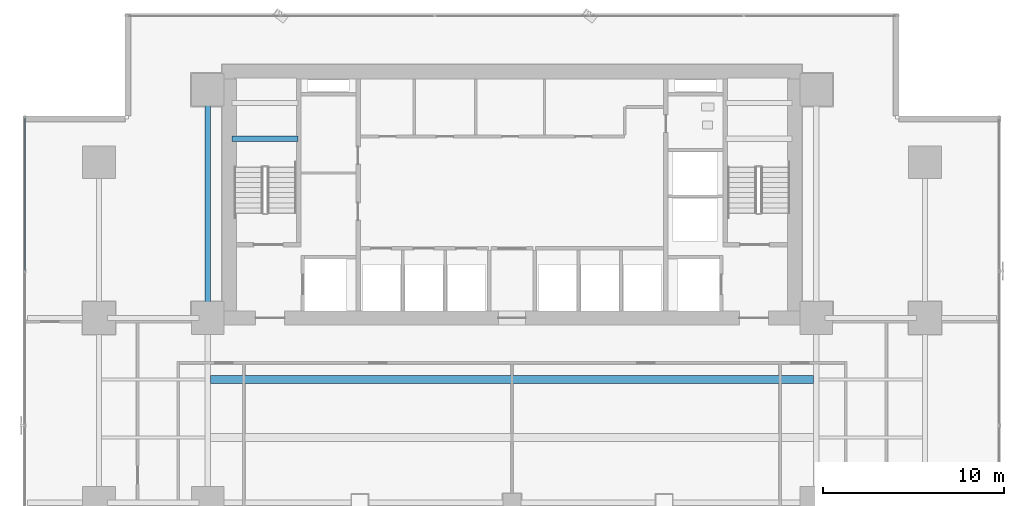
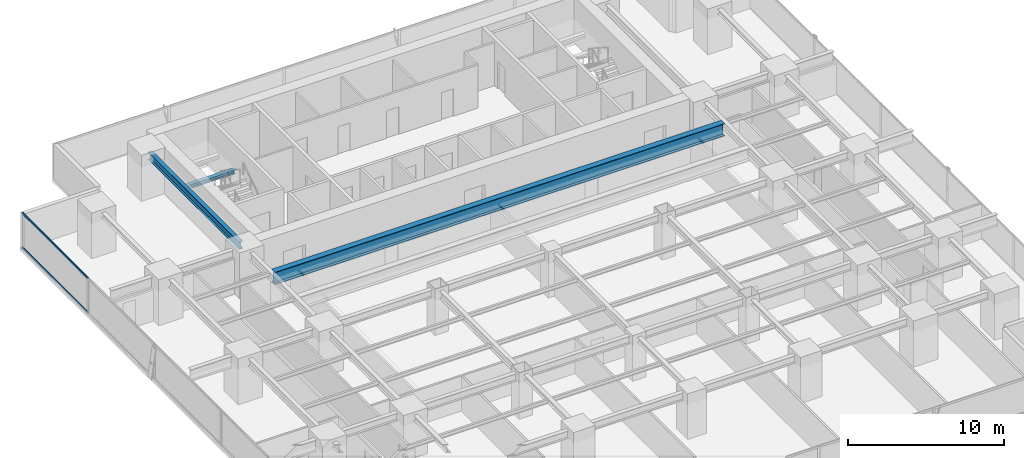
# One storey, part 17 of 34: 3 beams, 2 members, 1 element without a shape of its own.
"""IFC4 building model written with IfcOpenShell, lengths in metres."""

from ifc_helpers import new_model, si_unit, direction, frame, origin, origin_2d, place, context, subcontext, project, spatial, hollow_rectangle, i_section, extrude, source, transform, mapped, material, layer, layer_set, material_profile, profile_set, type_object, element, aggregate, save


model = new_model("IFC4")

# Units and contexts
model_context = context("Model", 3, precision=1e-05, world=origin(), true_north=direction((0.0, 1.0)))
body_context = subcontext(model_context, "Body", "Model", "MODEL_VIEW")
ifc_project = project(units=[si_unit("LENGTHUNIT", "METRE"), si_unit("AREAUNIT", "SQUARE_METRE"), si_unit("VOLUMEUNIT", "CUBIC_METRE"), si_unit("PLANEANGLEUNIT", "RADIAN"), si_unit("MASSUNIT", "GRAM", prefix="KILO")], contexts=[model_context])

# Site, building, storey
site_placement = place(None, origin())
site = spatial("IfcSite", under=ifc_project, at=site_placement, CompositionType="ELEMENT")
building_placement = place(site_placement, origin())
building = spatial("IfcBuilding", under=site, at=building_placement, Name="Sumidabori Civic Tower", CompositionType="ELEMENT")
storey_placement = place(building_placement, frame((0.0, 0.0, 34.39990234375)))
storey = spatial("IfcBuildingStorey", under=building, at=storey_placement, Name="L08", CompositionType="ELEMENT", Elevation=34.39990234375)

# Beams
ifc_material_1 = material(Name="Steel SN490", Category="steel")
ifc_material_profile_1 = material_profile(ifc_material_1, i_section(OverallWidth=0.300048828125, OverallDepth=0.300048828125, WebThickness=0.010986328125, FlangeThickness=0.01904296875, at=origin_2d()), Name="HE 300 B")
ifc_profile_set_1 = profile_set([ifc_material_profile_1], Name="Steel SN490")
beam_type_1 = type_object("IfcBeamType", Name="BM-LDG-300", PredefinedType="BEAM", material=ifc_profile_set_1)
shared_shape_1 = source(origin(), body_context, "Body", "SweptSolid", [
    extrude(i_section(OverallWidth=0.300048828125, OverallDepth=0.300048828125, WebThickness=0.010986328125, FlangeThickness=0.01904296875, at=origin_2d()), origin(), (0.0, 0.0, 1.0), 3.64990234375),
])
beam_1_placement = place(storey_placement, frame((-15.449951171875, 20.09765625, 1.4501953125), z_axis=(1.0, 0.0, 0.0), x_axis=(0.0, 1.0, 0.0)))
element("IfcBeam", 1, at=beam_1_placement, inside=storey, type_object=beam_type_1, Name="Stair ST-1 Landing Support Beam L08-1A", PredefinedType="BEAM", context=body_context, shape_type="MappedRepresentation", body=[
    mapped(shared_shape_1, transform((0.0, 0.0, 0.0), x_axis=(1.0, 0.0, 0.0), y_axis=(0.0, 1.0, 0.0), z_axis=(0.0, 0.0, 1.0), scale=1.0)),
])
ifc_material_profile_2 = material_profile(ifc_material_1, i_section(OverallWidth=0.300048828125, OverallDepth=0.60009765625, WebThickness=0.015380859375, FlangeThickness=0.030029296875, at=origin_2d()), Name="HE 600 B")
ifc_profile_set_2 = profile_set([ifc_material_profile_2], Name="Steel SN490")
beam_type_2 = type_object("IfcBeamType", Name="BM-GIRD-600", PredefinedType="BEAM", material=ifc_profile_set_2)
shared_shape_2 = source(origin(), body_context, "Body", "SweptSolid", [
    extrude(i_section(OverallWidth=0.300048828125, OverallDepth=0.60009765625, WebThickness=0.015380859375, FlangeThickness=0.030029296875, at=origin_2d()), origin(), (0.0, 0.0, 1.0), 11.64013671875),
])
beam_2_placement = place(storey_placement, frame((-16.800048828125, 10.679931640625, 3.06005859375), z_axis=(0.0, 1.0, 0.0), x_axis=(-1.0, 0.0, 0.0)))
element("IfcBeam", 2, at=beam_2_placement, inside=storey, type_object=beam_type_2, Name="Primary Girder L08 GY-28", PredefinedType="BEAM", context=body_context, shape_type="MappedRepresentation", body=[
    mapped(shared_shape_2, transform((0.0, 0.0, 0.0), x_axis=(1.0, 0.0, 0.0), y_axis=(0.0, 1.0, 0.0), z_axis=(0.0, 0.0, 1.0), scale=1.0)),
])
ifc_material_2 = material(Name="Steel SM570", Category="steel")
ifc_material_profile_3 = material_profile(ifc_material_2, i_section(OverallWidth=0.427978515625, OverallDepth=0.97509765625, WebThickness=0.02392578125, FlangeThickness=0.04296875, at=origin_2d()), Name="W36X395")
ifc_profile_set_3 = profile_set([ifc_material_profile_3], Name="Steel SM570")
beam_type_3 = type_object("IfcBeamType", Name="BM-HEAVY-W36B", PredefinedType="BEAM", material=ifc_profile_set_3)
shared_shape_3 = source(origin(), body_context, "Body", "SweptSolid", [
    extrude(i_section(OverallWidth=0.427978515625, OverallDepth=0.97509765625, WebThickness=0.02392578125, FlangeThickness=0.04296875, at=origin_2d()), origin(), (0.0, 0.0, 1.0), 33.2998046875),
])
beam_3_placement = place(storey_placement, frame((-16.64990234375, 6.800048828125, 2.87255859375), z_axis=(1.0, 0.0, 0.0), x_axis=(0.0, 1.0, 0.0)))
element("IfcBeam", 3, at=beam_3_placement, inside=storey, type_object=beam_type_3, Name="North Bay Floor Beam L08 JSTN-60", PredefinedType="BEAM", context=body_context, shape_type="MappedRepresentation", body=[
    mapped(shared_shape_3, transform((0.0, 0.0, 0.0), x_axis=(1.0, 0.0, 0.0), y_axis=(0.0, 1.0, 0.0), z_axis=(0.0, 0.0, 1.0), scale=1.0)),
])

# Curtain wall, members
ifc_material_3 = material(Name="Anodised Bronze Aluminium AW-6063-T6", Category="aluminium")
ifc_layer = layer(ifc_material_3, 0.179931640625, Name="Anodised Bronze Aluminium AW-6063-T6")
ifc_layer_set = layer_set([ifc_layer], Name="Anodised Bronze Aluminium AW-6063-T6")
curtain_wall_type = type_object("IfcCurtainWallType", Name="CW-SYS-2", PredefinedType="NOTDEFINED", material=ifc_layer_set)
curtain_wall_placement = place(storey_placement, origin())
curtain_wall = element("IfcCurtainWall", 4, at=curtain_wall_placement, inside=storey, type_object=curtain_wall_type, Name="Curtain Wall CW:L08:R10", PredefinedType="NOTDEFINED")
ifc_material_profile_4 = material_profile(ifc_material_3, hollow_rectangle(XDim=0.06494140625, YDim=0.14990234375, WallThickness=0.0048828125, at=origin_2d()), Name="ALU TRANSOM 150x65")
ifc_profile_set_4 = profile_set([ifc_material_profile_4], Name="Anodised Bronze Aluminium AW-6063-T6")
member_type = type_object("IfcMemberType", Name="CW-TRN-150", PredefinedType="USERDEFINED", material=ifc_profile_set_4)
shared_shape_4 = source(origin(), body_context, "Body", "SweptSolid", [
    extrude(hollow_rectangle(XDim=0.06494140625, YDim=0.14990234375, WallThickness=0.0048828125, at=origin_2d()), origin(), (0.0, 0.0, 1.0), 8.423095703125),
])
member_1_placement = place(storey_placement, frame((-26.8798828125, 21.25, 0.03271484375), z_axis=(0.0, -1.0, 0.0), x_axis=(1.0, 0.0, 0.0)))
member_1 = element("IfcMember", 5, at=member_1_placement, type_object=member_type, Name="CW-2 transom 1.1", ObjectType="TRANSOM", PredefinedType="USERDEFINED", context=body_context, shape_type="MappedRepresentation", body=[
    mapped(shared_shape_4, transform((0.0, 0.0, 0.0), x_axis=(1.0, 0.0, 0.0), y_axis=(0.0, 1.0, 0.0), z_axis=(0.0, 0.0, 1.0), scale=1.0)),
])
member_2_placement = place(storey_placement, frame((-26.8798828125, 21.25, 2.70751953125), z_axis=(0.0, -1.0, 0.0), x_axis=(1.0, 0.0, 0.0)))
member_2 = element("IfcMember", 6, at=member_2_placement, type_object=member_type, Name="CW-2 transom 1.2", ObjectType="TRANSOM", PredefinedType="USERDEFINED", context=body_context, shape_type="MappedRepresentation", body=[
    mapped(shared_shape_4, transform((0.0, 0.0, 0.0), x_axis=(1.0, 0.0, 0.0), y_axis=(0.0, 1.0, 0.0), z_axis=(0.0, 0.0, 1.0), scale=1.0)),
])
aggregate(curtain_wall, [member_1, member_2])

save(model, "model.ifc")
